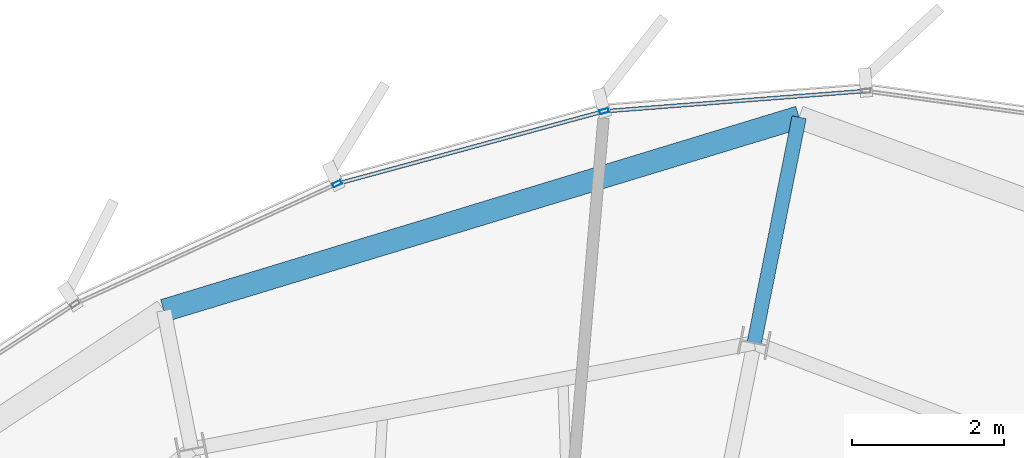
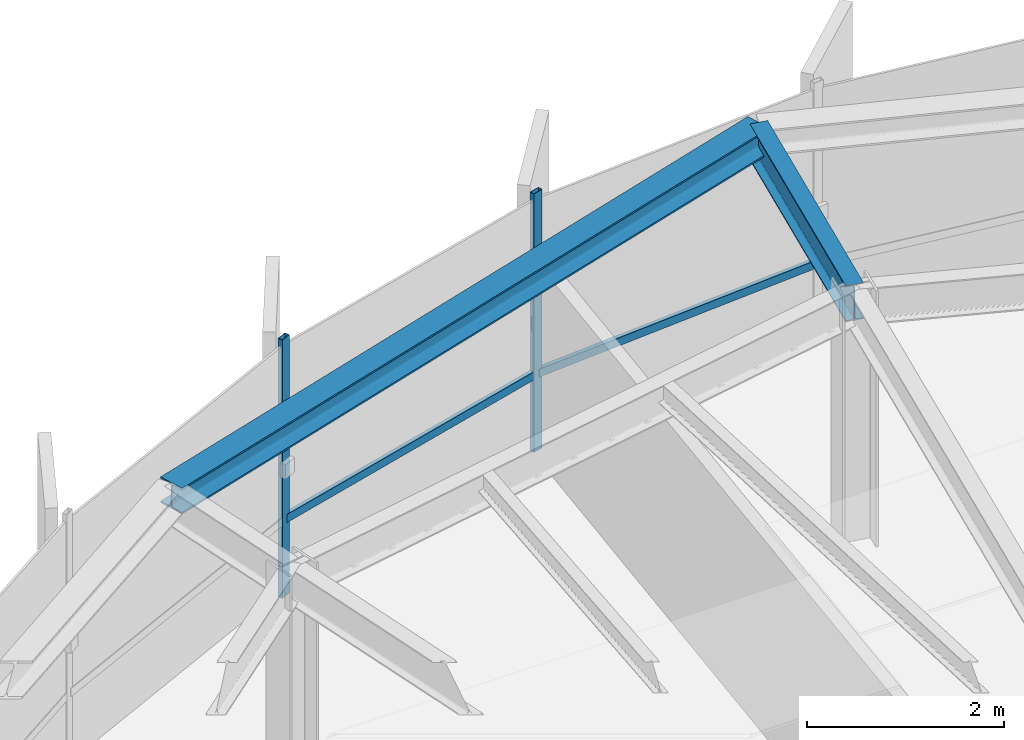
# One storey, part 22 of 32: 4 members, 2 beams, 1 element without a shape of its own.
"""IFC4 building model written with IfcOpenShell, lengths in metres."""

from ifc_helpers import new_model, si_unit, direction, frame, origin, origin_2d, place, context, subcontext, project, spatial, hollow_rectangle, i_section, extrude, source, transform, mapped, material, layer, layer_set, material_profile, profile_set, type_object, element, aggregate, save


model = new_model("IFC4")

# Units and contexts
model_context = context("Model", 3, precision=1e-05, world=origin(), true_north=direction((0.0, 1.0)))
body_context = subcontext(model_context, "Body", "Model", "MODEL_VIEW")
ifc_project = project(units=[si_unit("LENGTHUNIT", "METRE"), si_unit("AREAUNIT", "SQUARE_METRE"), si_unit("VOLUMEUNIT", "CUBIC_METRE"), si_unit("PLANEANGLEUNIT", "RADIAN"), si_unit("MASSUNIT", "GRAM", prefix="KILO"), si_unit("THERMODYNAMICTEMPERATUREUNIT", "KELVIN")], contexts=[model_context])

# Site, building, storey
site_placement = place(None, origin())
site = spatial("IfcSite", under=ifc_project, at=site_placement, CompositionType="ELEMENT")
building_placement = place(site_placement, origin())
building = spatial("IfcBuilding", under=site, at=building_placement, Name="Kethvar Cultural Tower", CompositionType="ELEMENT")
storey_placement = place(building_placement, frame((0.0, 0.0, 280.14990234375)))
storey = spatial("IfcBuildingStorey", under=building, at=storey_placement, Name="L74", CompositionType="ELEMENT", Elevation=280.14990234375)

# Beams
ifc_material_1 = material(Name="Steel S355J2", Category="steel")
ifc_material_profile_1 = material_profile(ifc_material_1, i_section(OverallWidth=0.18994140625, OverallDepth=0.449951171875, WebThickness=0.009521484375, FlangeThickness=0.0146484375, FilletRadius=0.02099609375, at=origin_2d()), Name="Steel S355J2 — IPE450")
ifc_profile_set_1 = profile_set([ifc_material_profile_1], Name="Steel S355J2 — IPE450")
beam_type_1 = type_object("IfcBeamType", Name="BM-IPE450", PredefinedType="BEAM", material=ifc_profile_set_1)
shared_shape_1 = source(origin(), body_context, "Body", "SweptSolid", [
    extrude(i_section(OverallWidth=0.18994140625, OverallDepth=0.449951171875, WebThickness=0.009521484375, FlangeThickness=0.0146484375, FilletRadius=0.02099609375, at=origin_2d()), origin(), (0.0, 0.0, 1.0), 3.03076171875),
])
beam_1_placement = place(storey_placement, frame((50.645263671875, 47.131591796875, 2.983154296875), z_axis=(0.195109069155, 0.980781551179, 0.0), x_axis=(-0.980781551179, 0.195109069155, 0.0)))
element("IfcBeam", 1, at=beam_1_placement, inside=storey, type_object=beam_type_1, Name="L74 Perimeter Cantilever Beam RC-04", PredefinedType="BEAM", context=body_context, shape_type="MappedRepresentation", body=[
    mapped(shared_shape_1, transform((0.0, 0.0, 0.0), scale=1.0)),
])
ifc_material_profile_2 = material_profile(ifc_material_1, i_section(OverallWidth=0.300048828125, OverallDepth=0.320068359375, WebThickness=0.011474609375, FlangeThickness=0.0205078125, FilletRadius=0.027099609375, at=origin_2d()), Name="Steel S355J2 — HEB320")
ifc_profile_set_2 = profile_set([ifc_material_profile_2], Name="Steel S355J2 — HEB320")
beam_type_2 = type_object("IfcBeamType", Name="BM-SP320", PredefinedType="SPANDREL", material=ifc_profile_set_2)
shared_shape_2 = source(origin(), body_context, "Body", "SweptSolid", [
    extrude(i_section(OverallWidth=0.300048828125, OverallDepth=0.320068359375, WebThickness=0.011474609375, FlangeThickness=0.0205078125, FilletRadius=0.027099609375, at=origin_2d()), origin(), (0.0, 0.0, 1.0), 8.745361328125),
])
beam_2_placement = place(storey_placement, frame((51.236572265625, 50.10400390625, 3.048095703125), z_axis=(-0.956689431016, -0.291110516097, 0.0), x_axis=(0.291110516097, -0.956689431016, 0.0)))
element("IfcBeam", 2, at=beam_2_placement, inside=storey, type_object=beam_type_2, Name="L74 Perimeter Spandrel Beam SP-04", PredefinedType="SPANDREL", context=body_context, shape_type="MappedRepresentation", body=[
    mapped(shared_shape_2, transform((0.0, 0.0, 0.0), scale=1.0)),
])

# Curtain wall, members
ifc_material_2 = material(Name="Aluminium 6063-T6", Category="aluminium")
ifc_layer = layer(ifc_material_2, 0.179931640625, Name="Aluminium 6063-T6", Category="aluminium")
ifc_layer_set = layer_set([ifc_layer], Name="Aluminium 6063-T6 (180 mm)")
curtain_wall_type = type_object("IfcCurtainWallType", Name="CW-SYS-05-Z56", PredefinedType="NOTDEFINED", material=ifc_layer_set)
curtain_wall_placement = place(storey_placement, origin())
curtain_wall = element("IfcCurtainWall", 3, at=curtain_wall_placement, inside=storey, type_object=curtain_wall_type, Name="L74 Curtain Wall Run 01", PredefinedType="NOTDEFINED")
ifc_material_profile_3 = material_profile(ifc_material_2, hollow_rectangle(XDim=0.054931640625, YDim=0.1201171875, WallThickness=0.00390625, at=origin_2d()), Name="Aluminium 6063-T6 — RHS120x55x4")
ifc_profile_set_3 = profile_set([ifc_material_profile_3], Name="Aluminium 6063-T6 — RHS120x55x4")
member_type_1 = type_object("IfcMemberType", Name="CW-SYS-05-Z56-MUL", PredefinedType="MULLION", material=ifc_profile_set_3)
shared_shape_3 = source(origin(), body_context, "Body", "SweptSolid", [
    extrude(hollow_rectangle(XDim=0.054931640625, YDim=0.1201171875, WallThickness=0.00390625, at=origin_2d()), origin(), (0.0, 0.0, 1.0), 3.210205078125),
])
member_1_placement = place(storey_placement, frame((48.668701171875, 50.18359375, 0.0), z_axis=(0.0, 0.0, 1.0), x_axis=(0.26244181038, -0.964947820436, 0.0)))
member_1 = element("IfcMember", 4, at=member_1_placement, type_object=member_type_1, Name="CW-L74-R01 Mullion 4", PredefinedType="MULLION", context=body_context, shape_type="MappedRepresentation", body=[
    mapped(shared_shape_3, transform((0.0, 0.0, 0.0), scale=1.0)),
])
member_2_placement = place(storey_placement, frame((45.153076171875, 49.22900390625, 0.0), z_axis=(0.0, 0.0, 1.0), x_axis=(0.416867864481, -0.908967097074, 0.0)))
member_2 = element("IfcMember", 5, at=member_2_placement, type_object=member_type_1, Name="CW-L74-R01 Mullion 5", PredefinedType="MULLION", context=body_context, shape_type="MappedRepresentation", body=[
    mapped(shared_shape_3, transform((0.0, 0.0, 0.0), scale=1.0)),
])
ifc_material_profile_4 = material_profile(ifc_material_2, hollow_rectangle(XDim=0.050048828125, YDim=0.10009765625, WallThickness=0.00390625, at=origin_2d()), Name="Aluminium 6063-T6 — RHS100x50x4")
ifc_profile_set_4 = profile_set([ifc_material_profile_4], Name="Aluminium 6063-T6 — RHS100x50x4")
member_type_2 = type_object("IfcMemberType", Name="CW-SYS-05-Z56-TRN", PredefinedType="USERDEFINED", material=ifc_profile_set_4)
shared_shape_4 = source(origin(), body_context, "Body", "SweptSolid", [
    extrude(hollow_rectangle(XDim=0.050048828125, YDim=0.10009765625, WallThickness=0.00390625, at=origin_2d()), origin(), (0.0, 0.0, 1.0), 3.402587890625),
])
member_3_placement = place(storey_placement, frame((52.08203125, 50.447509765625, 0.9501953125), z_axis=(-0.9969874219, -0.077563397127, 0.0), x_axis=(0.077563397127, -0.9969874219, 0.0)))
member_3 = element("IfcMember", 6, at=member_3_placement, type_object=member_type_2, Name="CW-L74-R01 Transom 3", ObjectType="TRANSOM", PredefinedType="USERDEFINED", context=body_context, shape_type="MappedRepresentation", body=[
    mapped(shared_shape_4, transform((0.0, 0.0, 0.0), scale=1.0)),
])
shared_shape_5 = source(origin(), body_context, "Body", "SweptSolid", [
    extrude(hollow_rectangle(XDim=0.050048828125, YDim=0.10009765625, WallThickness=0.00390625, at=origin_2d()), origin(), (0.0, 0.0, 1.0), 3.580322265625),
])
member_4_placement = place(storey_placement, frame((48.630615234375, 50.17333984375, 0.9501953125), z_axis=(-0.964942986618, -0.26245958275, 0.0), x_axis=(0.26245958275, -0.964942986618, 0.0)))
member_4 = element("IfcMember", 7, at=member_4_placement, type_object=member_type_2, Name="CW-L74-R01 Transom 4", ObjectType="TRANSOM", PredefinedType="USERDEFINED", context=body_context, shape_type="MappedRepresentation", body=[
    mapped(shared_shape_5, transform((0.0, 0.0, 0.0), scale=1.0)),
])
aggregate(curtain_wall, [member_1, member_2, member_3, member_4])

save(model, "model.ifc")
